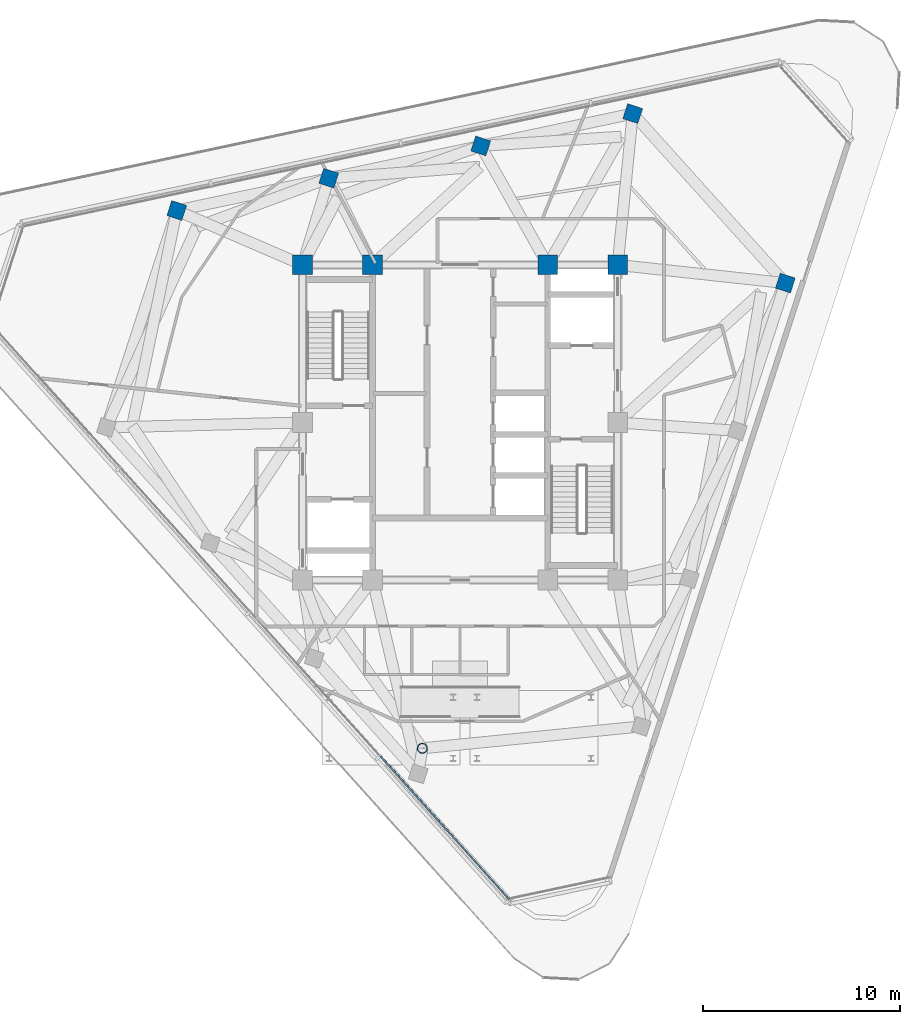
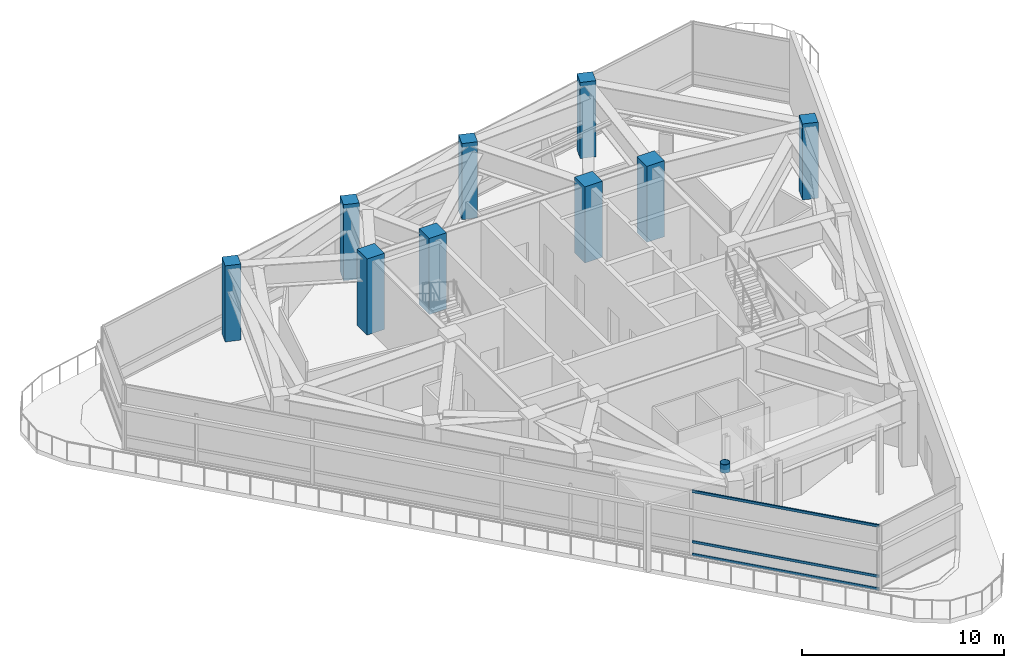
# One storey, part 2 of 15: 10 columns, 3 members, 1 element without a shape of its own.
"""IFC4 building model written with IfcOpenShell, lengths in metres."""

from ifc_helpers import new_model, si_unit, direction, frame, origin, origin_2d, place, context, subcontext, project, spatial, rectangle, hollow_circle, extrude, material, layer, layer_set, material_profile, profile_set, type_object, element, aggregate, save


model = new_model("IFC4")

# Units and contexts
model_context = context("Model", 3, precision=1e-05, world=origin(), true_north=direction((0.0, 1.0)))
body_context = subcontext(model_context, "Body", "Model", "MODEL_VIEW")
ifc_project = project(units=[si_unit("LENGTHUNIT", "METRE"), si_unit("AREAUNIT", "SQUARE_METRE"), si_unit("VOLUMEUNIT", "CUBIC_METRE"), si_unit("PLANEANGLEUNIT", "RADIAN"), si_unit("MASSUNIT", "GRAM", prefix="KILO")], contexts=[model_context])

# Site, building, storey
site_placement = place(None, origin())
site = spatial("IfcSite", under=ifc_project, at=site_placement, CompositionType="ELEMENT")
building_placement = place(site_placement, origin())
building = spatial("IfcBuilding", under=site, at=building_placement, Name="Terralouvre Media Tower", CompositionType="ELEMENT")
storey_placement = place(building_placement, frame((0.0, 0.0, 312.800048828125)))
storey = spatial("IfcBuildingStorey", under=building, at=storey_placement, Name="L81", CompositionType="ELEMENT", Elevation=312.800048828125)

# Columns
ifc_material_1 = material(Name="Structural steel S460M", Category="steel")
ifc_material_profile_1 = material_profile(ifc_material_1, hollow_circle(Radius=0.25390625, WallThickness=0.02490234375, at=origin_2d()), Name="CHS 508x25")
ifc_profile_set_1 = profile_set([ifc_material_profile_1], Name="Structural steel S460M")
column_type_1 = type_object("IfcColumnType", Name="Structural Column C-CHS508 (CHS 508x25)", PredefinedType="COLUMN", material=ifc_profile_set_1)
column_placement = place(storey_placement, frame((-1.91796875, -16.54248046875, 4.099853515625), z_axis=(0.0, 0.0, 1.0), x_axis=(1.0, 0.0, 0.0)))
element("IfcColumn", 1, at=column_placement, inside=storey, type_object=column_type_1, Name="L81 South-West Transfer Pedestal Column PC34S", PredefinedType="COLUMN", context=body_context, shape_type="SweptSolid", body=[
    extrude(hollow_circle(Radius=0.25390625, WallThickness=0.02490234375, at=origin_2d()), origin(), (0.0, 0.0, 1.0), 0.5),
])
ifc_material_2 = material(Name="Concrete C50/60", Category="concrete")
ifc_material_profile_2 = material_profile(ifc_material_2, rectangle(XDim=1.0, YDim=1.0, at=origin_2d()), Name="RC 1000x1000")
ifc_profile_set_2 = profile_set([ifc_material_profile_2], Name="Concrete C50/60")
column_type_2 = type_object("IfcColumnType", Name="Structural Column C-RC1000 (RC 1000x1000)", PredefinedType="COLUMN", material=ifc_profile_set_2)
for number, where, z_axis, x_axis, name in (
    (2, (8.0, 8.0, 0.0), (0.0, 0.0, 1.0), (1.0, 0.0, 0.0), "L81 Core Pilaster Column CP5"),
    (3, (4.449951171875, 8.0, 0.0), (0.0, 0.0, 1.0), (1.0, 0.0, 0.0), "L81 Core Pilaster Column CP9"),
    (4, (-4.449951171875, 8.0, 0.0), (0.0, 0.0, 1.0), (1.0, 0.0, 0.0), "L81 Core Pilaster Column CP6"),
    (5, (-8.0, 8.0, 0.0), (0.0, 0.0, 1.0), (1.0, 0.0, 0.0), "L81 Core Pilaster Column CP7"),
):
    element("IfcColumn", number, at=place(storey_placement, frame(where, z_axis=z_axis, x_axis=x_axis)), inside=storey, type_object=column_type_2, Name=name, PredefinedType="COLUMN", context=body_context, shape_type="SweptSolid", body=[
        extrude(rectangle(XDim=1.0, YDim=1.0, at=origin_2d()), origin(), (0.0, 0.0, 1.0), 4.599853515625),
    ])
ifc_material_3 = material(Name="Concrete C50/60", Category="concrete")
ifc_material_profile_3 = material_profile(ifc_material_3, rectangle(XDim=0.800048828125, YDim=0.800048828125, at=origin_2d()), Name="RC 800x800")
ifc_profile_set_3 = profile_set([ifc_material_profile_3], Name="Concrete C50/60")
column_type_3 = type_object("IfcColumnType", Name="Structural Column C-RC800 (RC 800x800)", PredefinedType="COLUMN", material=ifc_profile_set_3)
for number, where, z_axis, x_axis, name in (
    (6, (16.51025390625, 7.076416015625, 0.0), (0.0, 0.0, 1.0), (0.309016994375, 0.951056516295, 0.0), "L81 Perimeter Mega-Column PC14"),
    (7, (8.763427734375, 15.679931640625, 0.0), (0.0, 0.0, 1.0), (0.309016994375, 0.951056516295, 0.0), "L81 Perimeter Mega-Column PC21"),
    (8, (1.0478515625, 14.0400390625, 0.0), (0.0, 0.0, 1.0), (0.309016994375, 0.951056516295, 0.0), "L81 Perimeter Mega-Column PC22"),
    (9, (-6.667724609375, 12.39990234375, 0.0), (0.0, 0.0, 1.0), (0.309016994375, 0.951056516295, 0.0), "L81 Perimeter Mega-Column PC23"),
    (10, (-14.383544921875, 10.760009765625, 0.0), (0.0, 0.0, 1.0), (0.309016994375, 0.951056516295, 0.0), "L81 Perimeter Mega-Column PC24"),
):
    element("IfcColumn", number, at=place(storey_placement, frame(where, z_axis=z_axis, x_axis=x_axis)), inside=storey, type_object=column_type_3, Name=name, PredefinedType="COLUMN", context=body_context, shape_type="SweptSolid", body=[
        extrude(rectangle(XDim=0.800048828125, YDim=0.800048828125, at=origin_2d()), origin(), (0.0, 0.0, 1.0), 4.599853515625),
    ])

# Curtain wall, members
ifc_material_4 = material(Name="Low-iron laminated double glazing with solar-control coating", Category="glass")
ifc_layer = layer(ifc_material_4, 0.1650390625, Name="Faceted Glass-Point Crown Curtain Wall CW-06")
ifc_layer_set = layer_set([ifc_layer], Name="Low-iron laminated double glazing with solar-control coating")
curtain_wall_type = type_object("IfcCurtainWallType", Name="Faceted Glass-Point Crown Curtain Wall CW-06", PredefinedType="NOTDEFINED", material=ifc_layer_set)
curtain_wall_placement = place(storey_placement, origin())
curtain_wall = element("IfcCurtainWall", 11, at=curtain_wall_placement, inside=storey, type_object=curtain_wall_type, Name="L81 Facade Curtain Wall F2", PredefinedType="NOTDEFINED")
ifc_material_5 = material(Name="Anodised extruded aluminium 6063-T6", Category="aluminium")
ifc_material_profile_4 = material_profile(ifc_material_5, rectangle(XDim=0.074951171875, YDim=0.14990234375, at=origin_2d()), Name="ALU 75x150")
ifc_profile_set_4 = profile_set([ifc_material_profile_4], Name="Anodised extruded aluminium 6063-T6")
member_type = type_object("IfcMemberType", Name="Curtain-Wall Horizontal Transom TR-150", PredefinedType="USERDEFINED", material=ifc_profile_set_4)
member_1_placement = place(storey_placement, frame((-4.037841796875, -16.9541015625, 0.037353515625), z_axis=(0.669118317667, -0.743155890081, 0.0), x_axis=(0.743155890081, 0.669118317667, 0.0)))
member_1 = element("IfcMember", 12, at=member_1_placement, type_object=member_type, Name="CW-06 transom 4.1", ObjectType="TRANSOM", PredefinedType="USERDEFINED", context=body_context, shape_type="SweptSolid", body=[
    extrude(rectangle(XDim=0.074951171875, YDim=0.14990234375, at=origin_2d()), origin(), (0.0, 0.0, 1.0), 9.74755859375),
])
member_2_placement = place(storey_placement, frame((-4.037841796875, -16.9541015625, 0.800048828125), z_axis=(0.669118317667, -0.743155890081, 0.0), x_axis=(0.743155890081, 0.669118317667, 0.0)))
member_2 = element("IfcMember", 13, at=member_2_placement, type_object=member_type, Name="CW-06 transom 4.2", ObjectType="TRANSOM", PredefinedType="USERDEFINED", context=body_context, shape_type="SweptSolid", body=[
    extrude(rectangle(XDim=0.074951171875, YDim=0.14990234375, at=origin_2d()), origin(), (0.0, 0.0, 1.0), 9.74755859375),
])
member_3_placement = place(storey_placement, frame((-4.037841796875, -16.9541015625, 3.842529296875), z_axis=(0.669118317667, -0.743155890081, 0.0), x_axis=(0.743155890081, 0.669118317667, 0.0)))
member_3 = element("IfcMember", 14, at=member_3_placement, type_object=member_type, Name="CW-06 transom 4.3", ObjectType="TRANSOM", PredefinedType="USERDEFINED", context=body_context, shape_type="SweptSolid", body=[
    extrude(rectangle(XDim=0.074951171875, YDim=0.14990234375, at=origin_2d()), origin(), (0.0, 0.0, 1.0), 9.74755859375),
])
aggregate(curtain_wall, [member_1, member_2, member_3])

save(model, "model.ifc")
